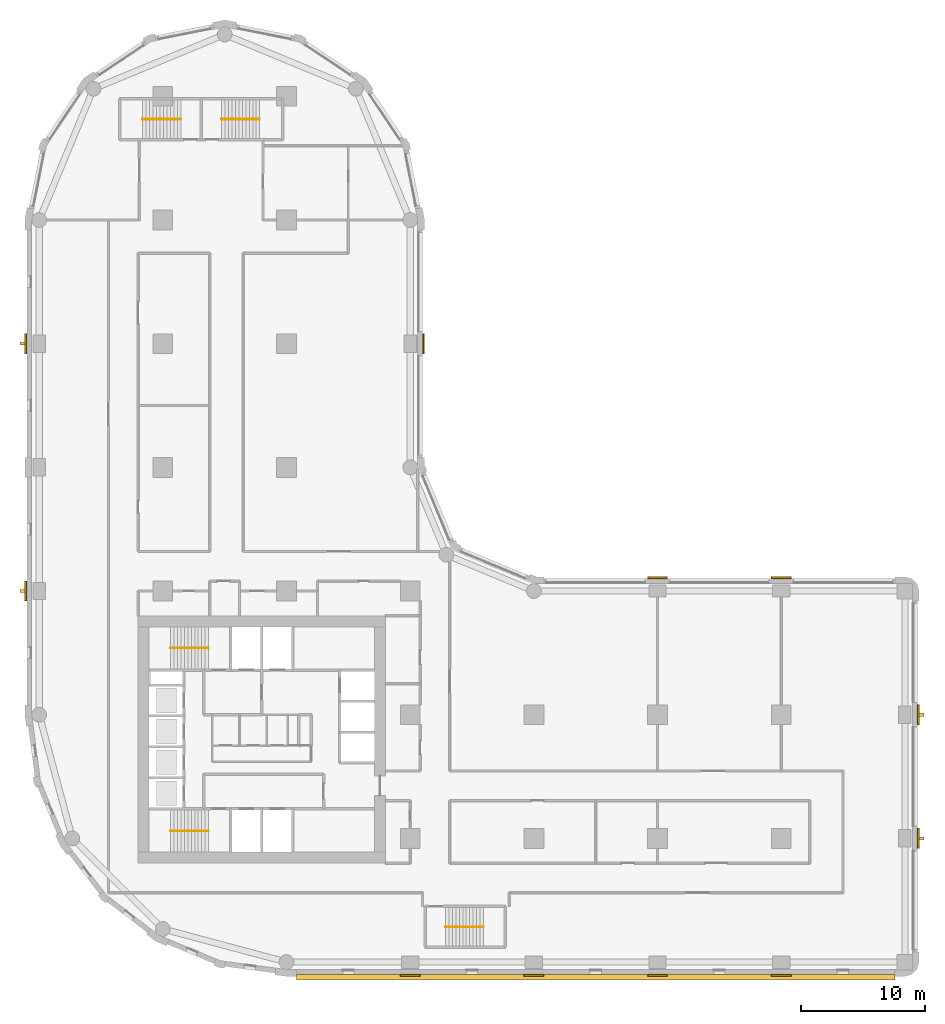
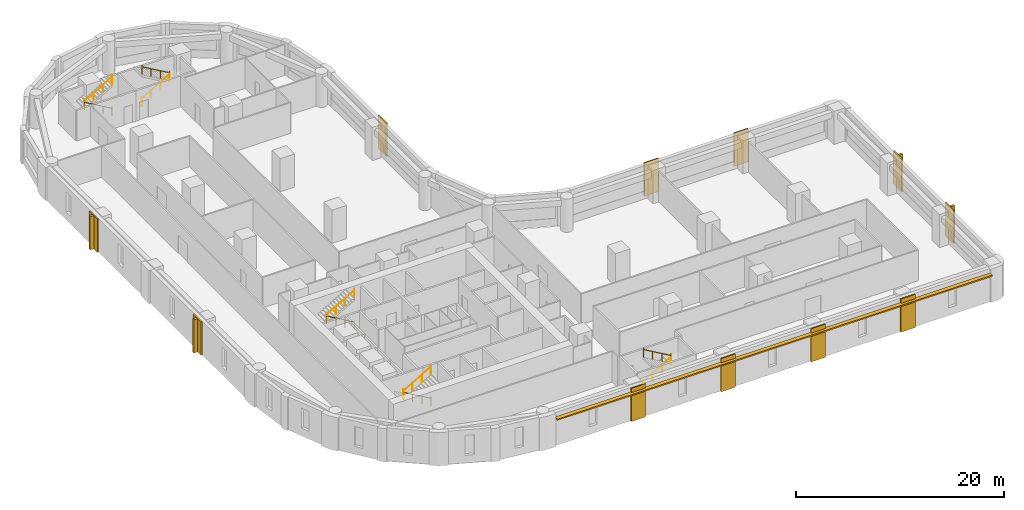
# One storey, part 9 of 10: 11 coverings, 10 railings, 5 shading devices.
"""IFC4 building model written with IfcOpenShell, lengths in metres."""

from ifc_helpers import new_model, si_unit, direction, frame, origin, origin_2d, place, context, subcontext, project, spatial, polyline, rectangle, circle, outline, extrude, material, layer, layer_set, type_object, element, save


model = new_model("IFC4")

# Units and contexts
model_context = context("Model", 3, precision=1e-05, world=origin(), true_north=direction((0.0, 1.0)))
body_context = subcontext(model_context, "Body", "Model", "MODEL_VIEW")
ifc_project = project(units=[si_unit("LENGTHUNIT", "METRE"), si_unit("AREAUNIT", "SQUARE_METRE"), si_unit("VOLUMEUNIT", "CUBIC_METRE"), si_unit("PLANEANGLEUNIT", "RADIAN"), si_unit("MASSUNIT", "GRAM", prefix="KILO")], contexts=[model_context])

# Site, building, storey
site_placement = place(None, origin())
site = spatial("IfcSite", under=ifc_project, at=site_placement, CompositionType="ELEMENT")
building_placement = place(site_placement, origin())
building = spatial("IfcBuilding", under=site, at=building_placement, Name="Qaws Garden Tower", CompositionType="ELEMENT")
storey_placement = place(building_placement, frame((0.0, 0.0, 43.199951171875)))
storey = spatial("IfcBuildingStorey", under=building, at=storey_placement, Name="L10", CompositionType="ELEMENT", Elevation=43.199951171875)

# Shading devices
ifc_material_1 = material(Name="Clay facing brick masonry", Category="masonry")
ifc_layer_1 = layer(ifc_material_1, 0.14990234375)
ifc_layer_set_1 = layer_set([ifc_layer_1], Name="Clay facing brick masonry")
shading_device_type_1 = type_object("IfcShadingDeviceType", Name="Brick sunshade band 450 x 150", PredefinedType="JALOUSIE", material=ifc_layer_set_1)
shading_device_placement = place(storey_placement, frame((0.0, 0.0, 3.25)))
element("IfcShadingDevice", 1, at=shading_device_placement, inside=storey, type_object=shading_device_type_1, Name="SUNSHADE 00", PredefinedType="JALOUSIE", context=body_context, shape_type="SweptSolid", body=[
    extrude(outline(polyline([(20.800048828125, -1.0), (20.800048828125, -1.449951171875), (69.199951171875, -1.449951171875), (69.199951171875, -1.0), (60.800048828125, -1.0), (60.800048828125, -1.14990234375), (59.199951171875, -1.14990234375), (59.199951171875, -1.0), (50.800048828125, -1.0), (50.800048828125, -1.14990234375), (49.199951171875, -1.14990234375), (49.199951171875, -1.0), (40.800048828125, -1.0), (40.800048828125, -1.14990234375), (39.199951171875, -1.14990234375), (39.199951171875, -1.0), (30.800048828125, -1.0), (30.800048828125, -1.14990234375), (29.199951171875, -1.14990234375), (29.199951171875, -1.0), (20.800048828125, -1.0)])), origin(), (0.0, 0.0, 1.0), 0.150146484375),
])
ifc_material_2 = material(Name="Clay facing brick masonry", Category="masonry")
ifc_layer_2 = layer(ifc_material_2, 0.25)
ifc_layer_set_2 = layer_set([ifc_layer_2], Name="Clay facing brick masonry")
shading_device_type_2 = type_object("IfcShadingDeviceType", Name="Brick-faced fin 250 x 400", PredefinedType="USERDEFINED", material=ifc_layer_set_2)
for number, where, z_axis, x_axis, name in (
    (2, (71.35009765625, 10.0, 0.0), (0.0, 0.0, 1.0), (0.0, 1.0, 0.0), "FIN 06"),
    (3, (71.35009765625, 20.0, 0.0), (0.0, 0.0, 1.0), (0.0, 1.0, 0.0), "FIN 07"),
    (4, (-1.35009765625, 50.0, 0.0), (0.0, 0.0, 1.0), (0.0, -1.0, 0.0), "FIN 24"),
    (5, (-1.35009765625, 30.0, 0.0), (0.0, 0.0, 1.0), (0.0, -1.0, 0.0), "FIN 26"),
):
    element("IfcShadingDevice", number, at=place(storey_placement, frame(where, z_axis=z_axis, x_axis=x_axis)), inside=storey, type_object=shading_device_type_2, Name=name, ObjectType="FIN", PredefinedType="USERDEFINED", context=body_context, shape_type="SweptSolid", body=[
        extrude(rectangle(XDim=0.25, YDim=0.39990234375, at=origin_2d()), origin(), (0.0, 0.0, 1.0), 3.89990234375),
    ])

# Coverings
ifc_material_3 = material(Name="Buff clay facing brick masonry", Category="masonry")
ifc_layer_3 = layer(ifc_material_3, 0.14990234375)
ifc_layer_set_3 = layer_set([ifc_layer_3], Name="Buff clay facing brick masonry")
covering_type = type_object("IfcCoveringType", Name="Buff brick pilaster facing 150 x 1600", PredefinedType="CLADDING", material=ifc_layer_set_3)
placement = place(storey_placement, origin())
element("IfcCovering", 6, at=placement, inside=storey, type_object=covering_type, Name="E-L10-pier-01", PredefinedType="CLADDING", context=body_context, shape_type="SweptSolid", body=[
    extrude(outline(polyline([(29.199951171875, -1.0), (30.800048828125, -1.0), (30.800048828125, -1.14990234375), (29.199951171875, -1.14990234375), (29.199951171875, -1.0)])), origin(), (0.0, 0.0, 1.0), 3.900146484375),
])
element("IfcCovering", 7, at=placement, inside=storey, type_object=covering_type, Name="E-L10-pier-02", PredefinedType="CLADDING", context=body_context, shape_type="SweptSolid", body=[
    extrude(outline(polyline([(39.199951171875, -1.0), (40.800048828125, -1.0), (40.800048828125, -1.14990234375), (39.199951171875, -1.14990234375), (39.199951171875, -1.0)])), origin(), (0.0, 0.0, 1.0), 3.900146484375),
])
element("IfcCovering", 8, at=placement, inside=storey, type_object=covering_type, Name="E-L10-pier-03", PredefinedType="CLADDING", context=body_context, shape_type="SweptSolid", body=[
    extrude(outline(polyline([(49.199951171875, -1.0), (50.800048828125, -1.0), (50.800048828125, -1.14990234375), (49.199951171875, -1.14990234375), (49.199951171875, -1.0)])), origin(), (0.0, 0.0, 1.0), 3.900146484375),
])
element("IfcCovering", 9, at=placement, inside=storey, type_object=covering_type, Name="E-L10-pier-04", PredefinedType="CLADDING", context=body_context, shape_type="SweptSolid", body=[
    extrude(outline(polyline([(59.199951171875, -1.0), (60.800048828125, -1.0), (60.800048828125, -1.14990234375), (59.199951171875, -1.14990234375), (59.199951171875, -1.0)])), origin(), (0.0, 0.0, 1.0), 3.900146484375),
])
element("IfcCovering", 10, at=placement, inside=storey, type_object=covering_type, Name="E-L10-pier-06", PredefinedType="CLADDING", context=body_context, shape_type="SweptSolid", body=[
    extrude(outline(polyline([(71.0, 9.199951171875), (71.0, 10.800048828125), (71.14990234375, 10.800048828125), (71.14990234375, 9.199951171875), (71.0, 9.199951171875)])), origin(), (0.0, 0.0, 1.0), 3.900146484375),
])
element("IfcCovering", 11, at=placement, inside=storey, type_object=covering_type, Name="E-L10-pier-07", PredefinedType="CLADDING", context=body_context, shape_type="SweptSolid", body=[
    extrude(outline(polyline([(71.0, 19.199951171875), (71.0, 20.800048828125), (71.14990234375, 20.800048828125), (71.14990234375, 19.199951171875), (71.0, 19.199951171875)])), origin(), (0.0, 0.0, 1.0), 3.900146484375),
])
element("IfcCovering", 12, at=placement, inside=storey, type_object=covering_type, Name="E-L10-pier-09", PredefinedType="CLADDING", context=body_context, shape_type="SweptSolid", body=[
    extrude(outline(polyline([(60.800048828125, 31.0), (59.199951171875, 31.0), (59.199951171875, 31.14990234375), (60.800048828125, 31.14990234375), (60.800048828125, 31.0)])), origin(), (0.0, 0.0, 1.0), 3.900146484375),
])
element("IfcCovering", 13, at=placement, inside=storey, type_object=covering_type, Name="E-L10-pier-10", PredefinedType="CLADDING", context=body_context, shape_type="SweptSolid", body=[
    extrude(outline(polyline([(50.800048828125, 31.0), (49.199951171875, 31.0), (49.199951171875, 31.14990234375), (50.800048828125, 31.14990234375), (50.800048828125, 31.0)])), origin(), (0.0, 0.0, 1.0), 3.900146484375),
])
element("IfcCovering", 14, at=placement, inside=storey, type_object=covering_type, Name="E-L10-pier-14", PredefinedType="CLADDING", context=body_context, shape_type="SweptSolid", body=[
    extrude(outline(polyline([(31.0, 49.199951171875), (31.0, 50.800048828125), (31.14990234375, 50.800048828125), (31.14990234375, 49.199951171875), (31.0, 49.199951171875)])), origin(), (0.0, 0.0, 1.0), 3.900146484375),
])
element("IfcCovering", 15, at=placement, inside=storey, type_object=covering_type, Name="E-L10-pier-24", PredefinedType="CLADDING", context=body_context, shape_type="SweptSolid", body=[
    extrude(outline(polyline([(-1.0, 50.800048828125), (-1.0, 49.199951171875), (-1.14990234375, 49.199951171875), (-1.14990234375, 50.800048828125), (-1.0, 50.800048828125)])), origin(), (0.0, 0.0, 1.0), 3.900146484375),
])
element("IfcCovering", 16, at=placement, inside=storey, type_object=covering_type, Name="E-L10-pier-26", PredefinedType="CLADDING", context=body_context, shape_type="SweptSolid", body=[
    extrude(outline(polyline([(-1.0, 30.800048828125), (-1.0, 29.199951171875), (-1.14990234375, 29.199951171875), (-1.14990234375, 30.800048828125), (-1.0, 30.800048828125)])), origin(), (0.0, 0.0, 1.0), 3.900146484375),
])

# Railings
ifc_material_4 = material(Name="Steel S355", Category="steel")
railing_type = type_object("IfcRailingType", Name="Stair handrail 900", PredefinedType="HANDRAIL", material=ifc_material_4)
railing_1_placement = place(storey_placement, frame((13.699951171875, 10.60009765625, 0.16259765625)))
element("IfcRailing", 17, at=railing_1_placement, inside=storey, type_object=railing_type, Name="Stair 1 handrail", PredefinedType="HANDRAIL", context=body_context, shape_type="SweptSolid", body=[
    extrude(circle(Radius=0.02392578125, at=origin_2d()), frame((0.0, 0.0, 0.8759765625), z_axis=(-0.864903211148, 0.0, 0.501938676878), x_axis=(0.0, -1.0, 0.0)), (0.0, 0.0, 1.0), 3.560791015625),
    extrude(circle(Radius=0.02099609375, at=origin_2d()), origin(), (0.0, 0.0, 1.0), 1.06201171875),
    extrude(circle(Radius=0.02099609375, at=origin_2d()), frame((-1.026611328125, 0.0, 0.595703125)), (0.0, 0.0, 1.0), 0.851806640625),
    extrude(circle(Radius=0.02099609375, at=origin_2d()), frame((-2.05322265625, 0.0, 1.191650390625)), (0.0, 0.0, 1.0), 0.851806640625),
    extrude(circle(Radius=0.02099609375, at=origin_2d()), frame((-3.079833984375, 0.0, 1.787353515625)), (0.0, 0.0, 1.0), 1.06201171875),
])
railing_2_placement = place(storey_placement, frame((10.6201171875, 10.60009765625, 2.112548828125)))
element("IfcRailing", 18, at=railing_2_placement, inside=storey, type_object=railing_type, Name="Stair 1 handrail", PredefinedType="HANDRAIL", context=body_context, shape_type="SweptSolid", body=[
    extrude(circle(Radius=0.02392578125, at=origin_2d()), frame((0.0, 0.0, 0.8759765625), z_axis=(0.864873446163, 0.0, 0.501989962173), x_axis=(0.0, 1.0, 0.0)), (0.0, 0.0, 1.0), 3.56103515625),
    extrude(circle(Radius=0.02099609375, at=origin_2d()), origin(), (0.0, 0.0, 1.0), 1.06201171875),
    extrude(circle(Radius=0.02099609375, at=origin_2d()), frame((1.026611328125, 0.0, 0.595947265625)), (0.0, 0.0, 1.0), 0.851806640625),
    extrude(circle(Radius=0.02099609375, at=origin_2d()), frame((2.05322265625, 0.0, 1.191650390625)), (0.0, 0.0, 1.0), 0.851806640625),
    extrude(circle(Radius=0.02099609375, at=origin_2d()), frame((3.079833984375, 0.0, 1.78759765625)), (0.0, 0.0, 1.0), 1.06201171875),
])
railing_3_placement = place(storey_placement, frame((13.699951171875, 25.39990234375, 0.16259765625)))
element("IfcRailing", 19, at=railing_3_placement, inside=storey, type_object=railing_type, Name="Stair 4 handrail", PredefinedType="HANDRAIL", context=body_context, shape_type="SweptSolid", body=[
    extrude(circle(Radius=0.02392578125, at=origin_2d()), frame((0.0, 0.0, 0.8759765625), z_axis=(-0.864903211148, 0.0, 0.501938676878), x_axis=(0.0, -1.0, 0.0)), (0.0, 0.0, 1.0), 3.560791015625),
    extrude(circle(Radius=0.02099609375, at=origin_2d()), origin(), (0.0, 0.0, 1.0), 1.06201171875),
    extrude(circle(Radius=0.02099609375, at=origin_2d()), frame((-1.026611328125, 0.0, 0.595703125)), (0.0, 0.0, 1.0), 0.851806640625),
    extrude(circle(Radius=0.02099609375, at=origin_2d()), frame((-2.05322265625, 0.0, 1.191650390625)), (0.0, 0.0, 1.0), 0.851806640625),
    extrude(circle(Radius=0.02099609375, at=origin_2d()), frame((-3.079833984375, 0.0, 1.787353515625)), (0.0, 0.0, 1.0), 1.06201171875),
])
railing_4_placement = place(storey_placement, frame((10.6201171875, 25.39990234375, 2.112548828125)))
element("IfcRailing", 20, at=railing_4_placement, inside=storey, type_object=railing_type, Name="Stair 4 handrail", PredefinedType="HANDRAIL", context=body_context, shape_type="SweptSolid", body=[
    extrude(circle(Radius=0.02392578125, at=origin_2d()), frame((0.0, 0.0, 0.8759765625), z_axis=(0.864873446163, 0.0, 0.501989962173), x_axis=(0.0, 1.0, 0.0)), (0.0, 0.0, 1.0), 3.56103515625),
    extrude(circle(Radius=0.02099609375, at=origin_2d()), origin(), (0.0, 0.0, 1.0), 1.06201171875),
    extrude(circle(Radius=0.02099609375, at=origin_2d()), frame((1.026611328125, 0.0, 0.595947265625)), (0.0, 0.0, 1.0), 0.851806640625),
    extrude(circle(Radius=0.02099609375, at=origin_2d()), frame((2.05322265625, 0.0, 1.191650390625)), (0.0, 0.0, 1.0), 0.851806640625),
    extrude(circle(Radius=0.02099609375, at=origin_2d()), frame((3.079833984375, 0.0, 1.78759765625)), (0.0, 0.0, 1.0), 1.06201171875),
])
railing_5_placement = place(storey_placement, frame((32.85009765625, 2.85009765625, 0.16259765625)))
element("IfcRailing", 21, at=railing_5_placement, inside=storey, type_object=railing_type, Name="Stair 5 handrail", PredefinedType="HANDRAIL", context=body_context, shape_type="SweptSolid", body=[
    extrude(circle(Radius=0.02392578125, at=origin_2d()), frame((0.0, 0.0, 0.8759765625), z_axis=(0.864903211148, 0.0, 0.501938676878), x_axis=(0.0, 1.0, 0.0)), (0.0, 0.0, 1.0), 3.560791015625),
    extrude(circle(Radius=0.02099609375, at=origin_2d()), origin(), (0.0, 0.0, 1.0), 1.06201171875),
    extrude(circle(Radius=0.02099609375, at=origin_2d()), frame((1.026611328125, 0.0, 0.595703125)), (0.0, 0.0, 1.0), 0.851806640625),
    extrude(circle(Radius=0.02099609375, at=origin_2d()), frame((2.05322265625, 0.0, 1.191650390625)), (0.0, 0.0, 1.0), 0.851806640625),
    extrude(circle(Radius=0.02099609375, at=origin_2d()), frame((3.079833984375, 0.0, 1.787353515625)), (0.0, 0.0, 1.0), 1.06201171875),
])
railing_6_placement = place(storey_placement, frame((35.929931640625, 2.85009765625, 2.112548828125)))
element("IfcRailing", 22, at=railing_6_placement, inside=storey, type_object=railing_type, Name="Stair 5 handrail", PredefinedType="HANDRAIL", context=body_context, shape_type="SweptSolid", body=[
    extrude(circle(Radius=0.02392578125, at=origin_2d()), frame((0.0, 0.0, 0.8759765625), z_axis=(-0.864873446163, 0.0, 0.501989962173), x_axis=(0.0, -1.0, 0.0)), (0.0, 0.0, 1.0), 3.56103515625),
    extrude(circle(Radius=0.02099609375, at=origin_2d()), origin(), (0.0, 0.0, 1.0), 1.06201171875),
    extrude(circle(Radius=0.02099609375, at=origin_2d()), frame((-1.026611328125, 0.0, 0.595947265625)), (0.0, 0.0, 1.0), 0.851806640625),
    extrude(circle(Radius=0.02099609375, at=origin_2d()), frame((-2.05322265625, 0.0, 1.191650390625)), (0.0, 0.0, 1.0), 0.851806640625),
    extrude(circle(Radius=0.02099609375, at=origin_2d()), frame((-3.079833984375, 0.0, 1.78759765625)), (0.0, 0.0, 1.0), 1.06201171875),
])
railing_7_placement = place(storey_placement, frame((11.449951171875, 68.14990234375, 0.16259765625)))
element("IfcRailing", 23, at=railing_7_placement, inside=storey, type_object=railing_type, Name="Stair 6 handrail", PredefinedType="HANDRAIL", context=body_context, shape_type="SweptSolid", body=[
    extrude(circle(Radius=0.02392578125, at=origin_2d()), frame((0.0, 0.0, 0.8759765625), z_axis=(-0.864903211148, 0.0, 0.501938676878), x_axis=(0.0, -1.0, 0.0)), (0.0, 0.0, 1.0), 3.560791015625),
    extrude(circle(Radius=0.02099609375, at=origin_2d()), origin(), (0.0, 0.0, 1.0), 1.06201171875),
    extrude(circle(Radius=0.02099609375, at=origin_2d()), frame((-1.026611328125, 0.0, 0.595703125)), (0.0, 0.0, 1.0), 0.851806640625),
    extrude(circle(Radius=0.02099609375, at=origin_2d()), frame((-2.05322265625, 0.0, 1.191650390625)), (0.0, 0.0, 1.0), 0.851806640625),
    extrude(circle(Radius=0.02099609375, at=origin_2d()), frame((-3.079833984375, 0.0, 1.787353515625)), (0.0, 0.0, 1.0), 1.06201171875),
])
railing_8_placement = place(storey_placement, frame((8.3701171875, 68.14990234375, 2.112548828125)))
element("IfcRailing", 24, at=railing_8_placement, inside=storey, type_object=railing_type, Name="Stair 6 handrail", PredefinedType="HANDRAIL", context=body_context, shape_type="SweptSolid", body=[
    extrude(circle(Radius=0.02392578125, at=origin_2d()), frame((0.0, 0.0, 0.8759765625), z_axis=(0.864873446163, 0.0, 0.501989962173), x_axis=(0.0, 1.0, 0.0)), (0.0, 0.0, 1.0), 3.56103515625),
    extrude(circle(Radius=0.02099609375, at=origin_2d()), origin(), (0.0, 0.0, 1.0), 1.06201171875),
    extrude(circle(Radius=0.02099609375, at=origin_2d()), frame((1.026611328125, 0.0, 0.595947265625)), (0.0, 0.0, 1.0), 0.851806640625),
    extrude(circle(Radius=0.02099609375, at=origin_2d()), frame((2.05322265625, 0.0, 1.191650390625)), (0.0, 0.0, 1.0), 0.851806640625),
    extrude(circle(Radius=0.02099609375, at=origin_2d()), frame((3.079833984375, 0.0, 1.78759765625)), (0.0, 0.0, 1.0), 1.06201171875),
])
railing_9_placement = place(storey_placement, frame((14.75, 68.14990234375, 0.16259765625)))
element("IfcRailing", 25, at=railing_9_placement, inside=storey, type_object=railing_type, Name="Stair 7 handrail", PredefinedType="HANDRAIL", context=body_context, shape_type="SweptSolid", body=[
    extrude(circle(Radius=0.02392578125, at=origin_2d()), frame((0.0, 0.0, 0.8759765625), z_axis=(0.864920483161, 0.0, 0.501908913857), x_axis=(0.0, 1.0, 0.0)), (0.0, 0.0, 1.0), 3.56103515625),
    extrude(circle(Radius=0.02099609375, at=origin_2d()), origin(), (0.0, 0.0, 1.0), 1.06201171875),
    extrude(circle(Radius=0.02099609375, at=origin_2d()), frame((1.026611328125, 0.0, 0.595703125)), (0.0, 0.0, 1.0), 0.851806640625),
    extrude(circle(Radius=0.02099609375, at=origin_2d()), frame((2.053466796875, 0.0, 1.191650390625)), (0.0, 0.0, 1.0), 0.851806640625),
    extrude(circle(Radius=0.02099609375, at=origin_2d()), frame((3.080078125, 0.0, 1.787353515625)), (0.0, 0.0, 1.0), 1.06201171875),
])
railing_10_placement = place(storey_placement, frame((17.830078125, 68.14990234375, 2.112548828125)))
element("IfcRailing", 26, at=railing_10_placement, inside=storey, type_object=railing_type, Name="Stair 7 handrail", PredefinedType="HANDRAIL", context=body_context, shape_type="SweptSolid", body=[
    extrude(circle(Radius=0.02392578125, at=origin_2d()), frame((0.0, 0.0, 0.8759765625), z_axis=(-0.864890721111, 0.0, 0.501960198159), x_axis=(0.0, -1.0, 0.0)), (0.0, 0.0, 1.0), 3.561279296875),
    extrude(circle(Radius=0.02099609375, at=origin_2d()), origin(), (0.0, 0.0, 1.0), 1.06201171875),
    extrude(circle(Radius=0.02099609375, at=origin_2d()), frame((-1.026611328125, 0.0, 0.595947265625)), (0.0, 0.0, 1.0), 0.851806640625),
    extrude(circle(Radius=0.02099609375, at=origin_2d()), frame((-2.053466796875, 0.0, 1.191650390625)), (0.0, 0.0, 1.0), 0.851806640625),
    extrude(circle(Radius=0.02099609375, at=origin_2d()), frame((-3.080078125, 0.0, 1.78759765625)), (0.0, 0.0, 1.0), 1.06201171875),
])

save(model, "model.ifc")
